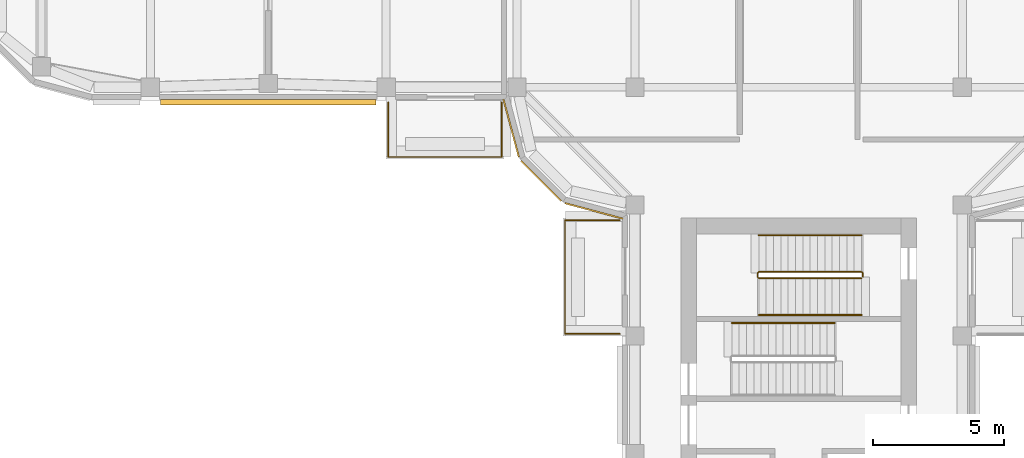
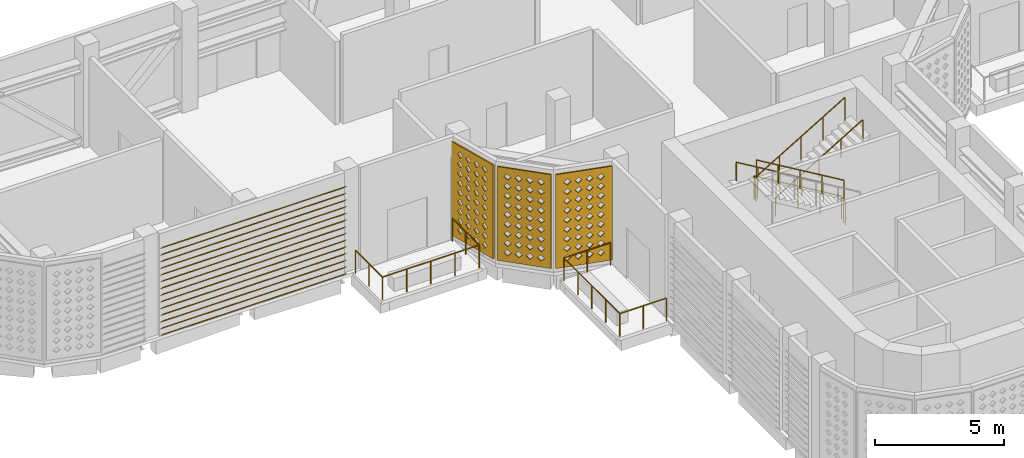
# One storey, part 12 of 20: 6 railings, 3 coverings, 1 shading device.
"""IFC4 building model written with IfcOpenShell, lengths in metres."""

from ifc_helpers import new_model, si_unit, direction, frame, origin, origin_2d, place, context, subcontext, project, spatial, polyline, circle, outline, extrude, source, transform, mapped, material, layer, layer_set, type_object, element, save


model = new_model("IFC4")

# Units and contexts
model_context = context("Model", 3, precision=1e-05, world=origin(), true_north=direction((0.0, 1.0)))
body_context = subcontext(model_context, "Body", "Model", "MODEL_VIEW")
ifc_project = project(units=[si_unit("LENGTHUNIT", "METRE"), si_unit("AREAUNIT", "SQUARE_METRE"), si_unit("VOLUMEUNIT", "CUBIC_METRE"), si_unit("PLANEANGLEUNIT", "RADIAN"), si_unit("MASSUNIT", "GRAM", prefix="KILO")], contexts=[model_context])

# Site, building, storey
site_placement = place(None, origin())
site = spatial("IfcSite", under=ifc_project, at=site_placement, CompositionType="ELEMENT")
building_placement = place(site_placement, origin())
building = spatial("IfcBuilding", under=site, at=building_placement, Name="Zarbagh Exchange Tower", CompositionType="ELEMENT")
storey_placement = place(building_placement, frame((0.0, 0.0, 244.800048828125)))
storey = spatial("IfcBuildingStorey", under=building, at=storey_placement, Name="L60", CompositionType="ELEMENT", Elevation=244.800048828125)

# Railings
ifc_material_1 = material(Name="Stainless steel", Category="steel")
railing_type_1 = type_object("IfcRailingType", Name="Stair guard 1100 mm", PredefinedType="GUARDRAIL", material=ifc_material_1)
railing_1_placement = place(storey_placement, frame((2.449951171875, -13.5, 0.0)))
element("IfcRailing", 1, at=railing_1_placement, inside=storey, type_object=railing_type_1, Name="ST4 stair guard 1", PredefinedType="GUARDRAIL", context=body_context, shape_type="SweptSolid", body=[
    extrude(circle(Radius=0.02392578125, at=origin_2d()), frame((0.0, 0.0, 1.076171875), z_axis=(0.0, 1.0, 0.0), x_axis=(-1.0, 0.0, 0.0)), (0.0, 0.0, 1.0), 0.14990234375),
    extrude(circle(Radius=0.02392578125, at=origin_2d()), frame((0.0, 0.14990234375, 1.076171875), z_axis=(-0.27662974545, 0.27662974545, 0.920299933644), x_axis=(-0.707106781187, -0.707106781187, 0.0)), (0.0, 0.0, 1.0), 0.180908203125),
    extrude(circle(Radius=0.02392578125, at=origin_2d()), frame((-0.050048828125, 0.199951171875, 1.24267578125), z_axis=(-0.859272722373, 0.0, 0.511517730471), x_axis=(0.0, -1.0, 0.0)), (0.0, 0.0, 1.0), 4.56201171875),
    extrude(circle(Radius=0.02392578125, at=origin_2d()), frame((-3.969970703125, 0.199951171875, 3.576171875), z_axis=(-0.707106781187, -0.707106781187, 0.0), x_axis=(0.707106781187, -0.707106781187, 0.0)), (0.0, 0.0, 1.0), 0.07080078125),
    extrude(circle(Radius=0.02392578125, at=origin_2d()), frame((-4.02001953125, 0.14990234375, 3.576171875), z_axis=(0.0, -1.0, 0.0), x_axis=(1.0, 0.0, 0.0)), (0.0, 0.0, 1.0), 0.14990234375),
    extrude(circle(Radius=0.02392578125, at=origin_2d()), frame((-4.02001953125, 0.0, 3.576171875), z_axis=(0.27662974545, -0.27662974545, 0.920299933644), x_axis=(0.707106781187, 0.707106781187, 0.0)), (0.0, 0.0, 1.0), 0.180908203125),
    extrude(circle(Radius=0.02392578125, at=origin_2d()), frame((-3.969970703125, -0.050048828125, 3.74267578125), z_axis=(0.859272722373, 0.0, 0.511517730471), x_axis=(0.0, 1.0, 0.0)), (0.0, 0.0, 1.0), 4.56201171875),
    extrude(circle(Radius=0.02099609375, at=origin_2d()), origin(), (0.0, 0.0, 1.0), 1.052001953125),
    extrude(circle(Radius=0.02099609375, at=origin_2d()), frame((0.0, 0.14990234375, 0.0)), (0.0, 0.0, 1.0), 1.052001953125),
    extrude(circle(Radius=0.02099609375, at=origin_2d()), frame((-0.050048828125, 0.199951171875, 0.16650390625)), (0.0, 0.0, 1.0), 1.052001953125),
    extrude(circle(Radius=0.02099609375, at=origin_2d()), frame((-1.030029296875, 0.199951171875, 0.75)), (0.0, 0.0, 1.0), 1.052001953125),
    extrude(circle(Radius=0.02099609375, at=origin_2d()), frame((-2.010009765625, 0.199951171875, 1.333251953125)), (0.0, 0.0, 1.0), 1.052001953125),
    extrude(circle(Radius=0.02099609375, at=origin_2d()), frame((-2.989990234375, 0.199951171875, 1.91650390625)), (0.0, 0.0, 1.0), 1.052001953125),
    extrude(circle(Radius=0.02099609375, at=origin_2d()), frame((-3.969970703125, 0.199951171875, 2.5)), (0.0, 0.0, 1.0), 1.052001953125),
    extrude(circle(Radius=0.02099609375, at=origin_2d()), frame((-4.02001953125, 0.14990234375, 2.5)), (0.0, 0.0, 1.0), 1.052001953125),
    extrude(circle(Radius=0.02099609375, at=origin_2d()), frame((-4.02001953125, 0.0, 2.5)), (0.0, 0.0, 1.0), 1.052001953125),
    extrude(circle(Radius=0.02099609375, at=origin_2d()), frame((-3.969970703125, -0.050048828125, 2.66650390625)), (0.0, 0.0, 1.0), 1.052001953125),
    extrude(circle(Radius=0.02099609375, at=origin_2d()), frame((-2.989990234375, -0.050048828125, 3.25)), (0.0, 0.0, 1.0), 1.052001953125),
    extrude(circle(Radius=0.02099609375, at=origin_2d()), frame((-2.010009765625, -0.050048828125, 3.833251953125)), (0.0, 0.0, 1.0), 1.052001953125),
    extrude(circle(Radius=0.02099609375, at=origin_2d()), frame((-1.030029296875, -0.050048828125, 4.41650390625)), (0.0, 0.0, 1.0), 1.052001953125),
    extrude(circle(Radius=0.02099609375, at=origin_2d()), frame((-0.050048828125, -0.050048828125, 5.0)), (0.0, 0.0, 1.0), 1.052001953125),
])
railing_type_2 = type_object("IfcRailingType", Name="Stair handrail 900 mm", PredefinedType="HANDRAIL", material=ifc_material_1)
railing_2_placement = place(storey_placement, frame((1.3701171875, -15.25, 2.66650390625)))
element("IfcRailing", 2, at=railing_2_placement, inside=storey, type_object=railing_type_2, Name="ST3 stair handrail 2", PredefinedType="HANDRAIL", context=body_context, shape_type="SweptSolid", body=[
    extrude(circle(Radius=0.02392578125, at=origin_2d()), frame((0.0, 0.0, 0.8759765625), z_axis=(-0.859286724212, 0.0, 0.511494208758), x_axis=(0.0, -1.0, 0.0)), (0.0, 0.0, 1.0), 4.56201171875),
    extrude(circle(Radius=0.02099609375, at=origin_2d()), origin(), (0.0, 0.0, 1.0), 0.851806640625),
    extrude(circle(Radius=0.02099609375, at=origin_2d()), frame((-0.97998046875, 0.0, 0.58349609375)), (0.0, 0.0, 1.0), 0.851806640625),
    extrude(circle(Radius=0.02099609375, at=origin_2d()), frame((-1.9599609375, 0.0, 1.166748046875)), (0.0, 0.0, 1.0), 0.851806640625),
    extrude(circle(Radius=0.02099609375, at=origin_2d()), frame((-2.940185546875, 0.0, 1.75)), (0.0, 0.0, 1.0), 0.851806640625),
    extrude(circle(Radius=0.02099609375, at=origin_2d()), frame((-3.920166015625, 0.0, 2.33349609375)), (0.0, 0.0, 1.0), 0.851806640625),
])
railing_3_placement = place(storey_placement, frame((2.39990234375, -11.89990234375, 0.16650390625)))
element("IfcRailing", 3, at=railing_3_placement, inside=storey, type_object=railing_type_2, Name="ST4 stair handrail 1", PredefinedType="HANDRAIL", context=body_context, shape_type="SweptSolid", body=[
    extrude(circle(Radius=0.02392578125, at=origin_2d()), frame((0.0, 0.0, 0.8759765625), z_axis=(-0.859272722373, 0.0, 0.511517730471), x_axis=(0.0, -1.0, 0.0)), (0.0, 0.0, 1.0), 4.56201171875),
    extrude(circle(Radius=0.02099609375, at=origin_2d()), origin(), (0.0, 0.0, 1.0), 0.851806640625),
    extrude(circle(Radius=0.02099609375, at=origin_2d()), frame((-0.97998046875, 0.0, 0.58349609375)), (0.0, 0.0, 1.0), 0.851806640625),
    extrude(circle(Radius=0.02099609375, at=origin_2d()), frame((-1.9599609375, 0.0, 1.166748046875)), (0.0, 0.0, 1.0), 0.851806640625),
    extrude(circle(Radius=0.02099609375, at=origin_2d()), frame((-2.93994140625, 0.0, 1.75)), (0.0, 0.0, 1.0), 0.851806640625),
    extrude(circle(Radius=0.02099609375, at=origin_2d()), frame((-3.919921875, 0.0, 2.33349609375)), (0.0, 0.0, 1.0), 0.851806640625),
])
railing_4_placement = place(storey_placement, frame((-1.52001953125, -14.949951171875, 2.66650390625)))
element("IfcRailing", 4, at=railing_4_placement, inside=storey, type_object=railing_type_2, Name="ST4 stair handrail 2", PredefinedType="HANDRAIL", context=body_context, shape_type="SweptSolid", body=[
    extrude(circle(Radius=0.02392578125, at=origin_2d()), frame((0.0, 0.0, 0.8759765625), z_axis=(0.859272722373, 0.0, 0.511517730471), x_axis=(0.0, 1.0, 0.0)), (0.0, 0.0, 1.0), 4.56201171875),
    extrude(circle(Radius=0.02099609375, at=origin_2d()), origin(), (0.0, 0.0, 1.0), 0.851806640625),
    extrude(circle(Radius=0.02099609375, at=origin_2d()), frame((0.97998046875, 0.0, 0.58349609375)), (0.0, 0.0, 1.0), 0.851806640625),
    extrude(circle(Radius=0.02099609375, at=origin_2d()), frame((1.9599609375, 0.0, 1.166748046875)), (0.0, 0.0, 1.0), 0.851806640625),
    extrude(circle(Radius=0.02099609375, at=origin_2d()), frame((2.93994140625, 0.0, 1.75)), (0.0, 0.0, 1.0), 0.851806640625),
    extrude(circle(Radius=0.02099609375, at=origin_2d()), frame((3.919921875, 0.0, 2.33349609375)), (0.0, 0.0, 1.0), 0.851806640625),
])
ifc_material_2 = material(Name="Stainless steel and laminated glass", Category="steel")
railing_type_3 = type_object("IfcRailingType", Name="Terrace guard, glass balustrade 1.1 m", PredefinedType="GUARDRAIL", material=ifc_material_2)
railing_5_placement = place(storey_placement, frame((-6.830078125, -15.669921875, 0.0)))
element("IfcRailing", 5, at=railing_5_placement, inside=storey, type_object=railing_type_3, Name="TG01 terrace guard", PredefinedType="GUARDRAIL", context=body_context, shape_type="SweptSolid", body=[
    extrude(circle(Radius=0.02490234375, at=origin_2d()), frame((0.0, 0.0, 1.0751953125), z_axis=(-1.0, 0.0, 0.0), x_axis=(0.0, -1.0, 0.0)), (0.0, 0.0, 1.0), 2.08984375),
    extrude(circle(Radius=0.02490234375, at=origin_2d()), frame((-2.08984375, 0.0, 1.0751953125), z_axis=(0.0, 1.0, 0.0), x_axis=(-1.0, 0.0, 0.0)), (0.0, 0.0, 1.0), 4.33984375),
    extrude(circle(Radius=0.02490234375, at=origin_2d()), frame((-2.08984375, 4.33984375, 1.0751953125), z_axis=(1.0, 0.0, 0.0), x_axis=(0.0, 1.0, 0.0)), (0.0, 0.0, 1.0), 2.08984375),
    extrude(circle(Radius=0.02490234375, at=origin_2d()), origin(), (0.0, 0.0, 1.0), 1.050048828125),
    extrude(circle(Radius=0.02490234375, at=origin_2d()), frame((-1.044921875, 0.0, 0.0)), (0.0, 0.0, 1.0), 1.050048828125),
    extrude(circle(Radius=0.02490234375, at=origin_2d()), frame((-2.08984375, 0.0, 0.0)), (0.0, 0.0, 1.0), 1.050048828125),
    extrude(circle(Radius=0.02490234375, at=origin_2d()), frame((-2.08984375, 1.0849609375, 0.0)), (0.0, 0.0, 1.0), 1.050048828125),
    extrude(circle(Radius=0.02490234375, at=origin_2d()), frame((-2.08984375, 2.169921875, 0.0)), (0.0, 0.0, 1.0), 1.050048828125),
    extrude(circle(Radius=0.02490234375, at=origin_2d()), frame((-2.08984375, 3.2548828125, 0.0)), (0.0, 0.0, 1.0), 1.050048828125),
    extrude(circle(Radius=0.02490234375, at=origin_2d()), frame((-2.08984375, 4.33984375, 0.0)), (0.0, 0.0, 1.0), 1.050048828125),
    extrude(circle(Radius=0.02490234375, at=origin_2d()), frame((-1.044921875, 4.33984375, 0.0)), (0.0, 0.0, 1.0), 1.050048828125),
    extrude(circle(Radius=0.02490234375, at=origin_2d()), frame((0.0, 4.33984375, 0.0)), (0.0, 0.0, 1.0), 1.050048828125),
])
railing_6_placement = place(storey_placement, frame((-11.330078125, -6.830078125, 0.0)))
element("IfcRailing", 6, at=railing_6_placement, inside=storey, type_object=railing_type_3, Name="TG01 terrace guard", PredefinedType="GUARDRAIL", context=body_context, shape_type="SweptSolid", body=[
    extrude(circle(Radius=0.02490234375, at=origin_2d()), frame((0.0, 0.0, 1.0751953125), z_axis=(0.0, -1.0, 0.0), x_axis=(1.0, 0.0, 0.0)), (0.0, 0.0, 1.0), 2.08984375),
    extrude(circle(Radius=0.02490234375, at=origin_2d()), frame((0.0, -2.08984375, 1.0751953125), z_axis=(-1.0, 0.0, 0.0), x_axis=(0.0, -1.0, 0.0)), (0.0, 0.0, 1.0), 4.33984375),
    extrude(circle(Radius=0.02490234375, at=origin_2d()), frame((-4.33984375, -2.08984375, 1.0751953125), z_axis=(0.0, 1.0, 0.0), x_axis=(-1.0, 0.0, 0.0)), (0.0, 0.0, 1.0), 2.08984375),
    extrude(circle(Radius=0.02490234375, at=origin_2d()), origin(), (0.0, 0.0, 1.0), 1.050048828125),
    extrude(circle(Radius=0.02490234375, at=origin_2d()), frame((0.0, -1.044921875, 0.0)), (0.0, 0.0, 1.0), 1.050048828125),
    extrude(circle(Radius=0.02490234375, at=origin_2d()), frame((0.0, -2.08984375, 0.0)), (0.0, 0.0, 1.0), 1.050048828125),
    extrude(circle(Radius=0.02490234375, at=origin_2d()), frame((-1.0849609375, -2.08984375, 0.0)), (0.0, 0.0, 1.0), 1.050048828125),
    extrude(circle(Radius=0.02490234375, at=origin_2d()), frame((-2.169921875, -2.08984375, 0.0)), (0.0, 0.0, 1.0), 1.050048828125),
    extrude(circle(Radius=0.02490234375, at=origin_2d()), frame((-3.2548828125, -2.08984375, 0.0)), (0.0, 0.0, 1.0), 1.050048828125),
    extrude(circle(Radius=0.02490234375, at=origin_2d()), frame((-4.33984375, -2.08984375, 0.0)), (0.0, 0.0, 1.0), 1.050048828125),
    extrude(circle(Radius=0.02490234375, at=origin_2d()), frame((-4.33984375, -1.044921875, 0.0)), (0.0, 0.0, 1.0), 1.050048828125),
    extrude(circle(Radius=0.02490234375, at=origin_2d()), frame((-4.33984375, 0.0, 0.0)), (0.0, 0.0, 1.0), 1.050048828125),
])

# Coverings
ifc_material_3 = material(Name="Glass-fibre reinforced concrete GFRC C50/60", Category="concrete")
ifc_layer = layer(ifc_material_3, 0.06005859375)
ifc_layer_set = layer_set([ifc_layer], Name="SCREEN jali panel, GFRC")
covering_type = type_object("IfcCoveringType", Name="SCREEN jali panel, GFRC", PredefinedType="CLADDING", material=ifc_layer_set)
shared_shape_1 = source(origin(), body_context, "Body", "SweptSolid", [
    extrude(outline(polyline([(0.0, 0.0), (2.1650390625, 0.0), (2.1650390625, 4.449951171875), (0.0, 4.449951171875), (0.0, 0.0)]), holes=[polyline([(0.257568359375, 0.425048828125), (0.407470703125, 0.27490234375), (0.5576171875, 0.425048828125), (0.407470703125, 0.574951171875), (0.257568359375, 0.425048828125)]), polyline([(0.257568359375, 0.875), (0.407470703125, 0.72509765625), (0.5576171875, 0.875), (0.407470703125, 1.02490234375), (0.257568359375, 0.875)]), polyline([(0.257568359375, 1.324951171875), (0.407470703125, 1.175048828125), (0.5576171875, 1.324951171875), (0.407470703125, 1.47509765625), (0.257568359375, 1.324951171875)]), polyline([(0.257568359375, 1.77490234375), (0.407470703125, 1.625), (0.5576171875, 1.77490234375), (0.407470703125, 1.925048828125), (0.257568359375, 1.77490234375)]), polyline([(0.257568359375, 2.22509765625), (0.407470703125, 2.074951171875), (0.5576171875, 2.22509765625), (0.407470703125, 2.375), (0.257568359375, 2.22509765625)]), polyline([(0.257568359375, 2.675048828125), (0.407470703125, 2.52490234375), (0.5576171875, 2.675048828125), (0.407470703125, 2.824951171875), (0.257568359375, 2.675048828125)]), polyline([(0.257568359375, 3.125), (0.407470703125, 2.97509765625), (0.5576171875, 3.125), (0.407470703125, 3.27490234375), (0.257568359375, 3.125)]), polyline([(0.257568359375, 3.574951171875), (0.407470703125, 3.425048828125), (0.5576171875, 3.574951171875), (0.407470703125, 3.72509765625), (0.257568359375, 3.574951171875)]), polyline([(0.257568359375, 4.02490234375), (0.407470703125, 3.875), (0.5576171875, 4.02490234375), (0.407470703125, 4.175048828125), (0.257568359375, 4.02490234375)]), polyline([(0.70751953125, 0.425048828125), (0.857421875, 0.27490234375), (1.007568359375, 0.425048828125), (0.857421875, 0.574951171875), (0.70751953125, 0.425048828125)]), polyline([(0.70751953125, 0.875), (0.857421875, 0.72509765625), (1.007568359375, 0.875), (0.857421875, 1.02490234375), (0.70751953125, 0.875)]), polyline([(0.70751953125, 1.324951171875), (0.857421875, 1.175048828125), (1.007568359375, 1.324951171875), (0.857421875, 1.47509765625), (0.70751953125, 1.324951171875)]), polyline([(0.70751953125, 1.77490234375), (0.857421875, 1.625), (1.007568359375, 1.77490234375), (0.857421875, 1.925048828125), (0.70751953125, 1.77490234375)]), polyline([(0.70751953125, 2.22509765625), (0.857421875, 2.074951171875), (1.007568359375, 2.22509765625), (0.857421875, 2.375), (0.70751953125, 2.22509765625)]), polyline([(0.70751953125, 2.675048828125), (0.857421875, 2.52490234375), (1.007568359375, 2.675048828125), (0.857421875, 2.824951171875), (0.70751953125, 2.675048828125)]), polyline([(0.70751953125, 3.125), (0.857421875, 2.97509765625), (1.007568359375, 3.125), (0.857421875, 3.27490234375), (0.70751953125, 3.125)]), polyline([(0.70751953125, 3.574951171875), (0.857421875, 3.425048828125), (1.007568359375, 3.574951171875), (0.857421875, 3.72509765625), (0.70751953125, 3.574951171875)]), polyline([(0.70751953125, 4.02490234375), (0.857421875, 3.875), (1.007568359375, 4.02490234375), (0.857421875, 4.175048828125), (0.70751953125, 4.02490234375)]), polyline([(1.157470703125, 0.425048828125), (1.3076171875, 0.27490234375), (1.45751953125, 0.425048828125), (1.3076171875, 0.574951171875), (1.157470703125, 0.425048828125)]), polyline([(1.157470703125, 0.875), (1.3076171875, 0.72509765625), (1.45751953125, 0.875), (1.3076171875, 1.02490234375), (1.157470703125, 0.875)]), polyline([(1.157470703125, 1.324951171875), (1.3076171875, 1.175048828125), (1.45751953125, 1.324951171875), (1.3076171875, 1.47509765625), (1.157470703125, 1.324951171875)]), polyline([(1.157470703125, 1.77490234375), (1.3076171875, 1.625), (1.45751953125, 1.77490234375), (1.3076171875, 1.925048828125), (1.157470703125, 1.77490234375)]), polyline([(1.157470703125, 2.22509765625), (1.3076171875, 2.074951171875), (1.45751953125, 2.22509765625), (1.3076171875, 2.375), (1.157470703125, 2.22509765625)]), polyline([(1.157470703125, 2.675048828125), (1.3076171875, 2.52490234375), (1.45751953125, 2.675048828125), (1.3076171875, 2.824951171875), (1.157470703125, 2.675048828125)]), polyline([(1.157470703125, 3.125), (1.3076171875, 2.97509765625), (1.45751953125, 3.125), (1.3076171875, 3.27490234375), (1.157470703125, 3.125)]), polyline([(1.157470703125, 3.574951171875), (1.3076171875, 3.425048828125), (1.45751953125, 3.574951171875), (1.3076171875, 3.72509765625), (1.157470703125, 3.574951171875)]), polyline([(1.157470703125, 4.02490234375), (1.3076171875, 3.875), (1.45751953125, 4.02490234375), (1.3076171875, 4.175048828125), (1.157470703125, 4.02490234375)]), polyline([(1.607421875, 0.425048828125), (1.757568359375, 0.27490234375), (1.907470703125, 0.425048828125), (1.757568359375, 0.574951171875), (1.607421875, 0.425048828125)]), polyline([(1.607421875, 0.875), (1.757568359375, 0.72509765625), (1.907470703125, 0.875), (1.757568359375, 1.02490234375), (1.607421875, 0.875)]), polyline([(1.607421875, 1.324951171875), (1.757568359375, 1.175048828125), (1.907470703125, 1.324951171875), (1.757568359375, 1.47509765625), (1.607421875, 1.324951171875)]), polyline([(1.607421875, 1.77490234375), (1.757568359375, 1.625), (1.907470703125, 1.77490234375), (1.757568359375, 1.925048828125), (1.607421875, 1.77490234375)]), polyline([(1.607421875, 2.22509765625), (1.757568359375, 2.074951171875), (1.907470703125, 2.22509765625), (1.757568359375, 2.375), (1.607421875, 2.22509765625)]), polyline([(1.607421875, 2.675048828125), (1.757568359375, 2.52490234375), (1.907470703125, 2.675048828125), (1.757568359375, 2.824951171875), (1.607421875, 2.675048828125)]), polyline([(1.607421875, 3.125), (1.757568359375, 2.97509765625), (1.907470703125, 3.125), (1.757568359375, 3.27490234375), (1.607421875, 3.125)]), polyline([(1.607421875, 3.574951171875), (1.757568359375, 3.425048828125), (1.907470703125, 3.574951171875), (1.757568359375, 3.72509765625), (1.607421875, 3.574951171875)]), polyline([(1.607421875, 4.02490234375), (1.757568359375, 3.875), (1.907470703125, 4.02490234375), (1.757568359375, 4.175048828125), (1.607421875, 4.02490234375)])]), origin(), (0.0, 0.0, 1.0), 0.06005859375),
])
placement = place(storey_placement, origin())
element("IfcCovering", 7, at=placement, inside=storey, type_object=covering_type, Name="JS35 jali screen", PredefinedType="CLADDING", context=body_context, shape_type="MappedRepresentation", body=[
    mapped(shared_shape_1, transform((-10.574951171875, -9.0439453125, 0.199951171875), x_axis=(0.707106781187, -0.707106781187, 0.0), y_axis=(0.0, 0.0, 1.0), z_axis=(-0.707106781187, -0.707106781187, 0.0))),
])
shared_shape_2 = source(origin(), body_context, "Body", "SweptSolid", [
    extrude(outline(polyline([(0.0, 0.0), (2.289306640625, 0.0), (2.289306640625, 4.449951171875), (0.0, 4.449951171875), (0.0, 0.0)]), holes=[polyline([(0.319580078125, 0.425048828125), (0.4697265625, 0.27490234375), (0.61962890625, 0.425048828125), (0.4697265625, 0.574951171875), (0.319580078125, 0.425048828125)]), polyline([(0.319580078125, 0.875), (0.4697265625, 0.72509765625), (0.61962890625, 0.875), (0.4697265625, 1.02490234375), (0.319580078125, 0.875)]), polyline([(0.319580078125, 1.324951171875), (0.4697265625, 1.175048828125), (0.61962890625, 1.324951171875), (0.4697265625, 1.47509765625), (0.319580078125, 1.324951171875)]), polyline([(0.319580078125, 1.77490234375), (0.4697265625, 1.625), (0.61962890625, 1.77490234375), (0.4697265625, 1.925048828125), (0.319580078125, 1.77490234375)]), polyline([(0.319580078125, 2.22509765625), (0.4697265625, 2.074951171875), (0.61962890625, 2.22509765625), (0.4697265625, 2.375), (0.319580078125, 2.22509765625)]), polyline([(0.319580078125, 2.675048828125), (0.4697265625, 2.52490234375), (0.61962890625, 2.675048828125), (0.4697265625, 2.824951171875), (0.319580078125, 2.675048828125)]), polyline([(0.319580078125, 3.125), (0.4697265625, 2.97509765625), (0.61962890625, 3.125), (0.4697265625, 3.27490234375), (0.319580078125, 3.125)]), polyline([(0.319580078125, 3.574951171875), (0.4697265625, 3.425048828125), (0.61962890625, 3.574951171875), (0.4697265625, 3.72509765625), (0.319580078125, 3.574951171875)]), polyline([(0.319580078125, 4.02490234375), (0.4697265625, 3.875), (0.61962890625, 4.02490234375), (0.4697265625, 4.175048828125), (0.319580078125, 4.02490234375)]), polyline([(0.76953125, 0.425048828125), (0.919677734375, 0.27490234375), (1.069580078125, 0.425048828125), (0.919677734375, 0.574951171875), (0.76953125, 0.425048828125)]), polyline([(0.76953125, 0.875), (0.919677734375, 0.72509765625), (1.069580078125, 0.875), (0.919677734375, 1.02490234375), (0.76953125, 0.875)]), polyline([(0.76953125, 1.324951171875), (0.919677734375, 1.175048828125), (1.069580078125, 1.324951171875), (0.919677734375, 1.47509765625), (0.76953125, 1.324951171875)]), polyline([(0.76953125, 1.77490234375), (0.919677734375, 1.625), (1.069580078125, 1.77490234375), (0.919677734375, 1.925048828125), (0.76953125, 1.77490234375)]), polyline([(0.76953125, 2.22509765625), (0.919677734375, 2.074951171875), (1.069580078125, 2.22509765625), (0.919677734375, 2.375), (0.76953125, 2.22509765625)]), polyline([(0.76953125, 2.675048828125), (0.919677734375, 2.52490234375), (1.069580078125, 2.675048828125), (0.919677734375, 2.824951171875), (0.76953125, 2.675048828125)]), polyline([(0.76953125, 3.125), (0.919677734375, 2.97509765625), (1.069580078125, 3.125), (0.919677734375, 3.27490234375), (0.76953125, 3.125)]), polyline([(0.76953125, 3.574951171875), (0.919677734375, 3.425048828125), (1.069580078125, 3.574951171875), (0.919677734375, 3.72509765625), (0.76953125, 3.574951171875)]), polyline([(0.76953125, 4.02490234375), (0.919677734375, 3.875), (1.069580078125, 4.02490234375), (0.919677734375, 4.175048828125), (0.76953125, 4.02490234375)]), polyline([(1.2197265625, 0.425048828125), (1.36962890625, 0.27490234375), (1.51953125, 0.425048828125), (1.36962890625, 0.574951171875), (1.2197265625, 0.425048828125)]), polyline([(1.2197265625, 0.875), (1.36962890625, 0.72509765625), (1.51953125, 0.875), (1.36962890625, 1.02490234375), (1.2197265625, 0.875)]), polyline([(1.2197265625, 1.324951171875), (1.36962890625, 1.175048828125), (1.51953125, 1.324951171875), (1.36962890625, 1.47509765625), (1.2197265625, 1.324951171875)]), polyline([(1.2197265625, 1.77490234375), (1.36962890625, 1.625), (1.51953125, 1.77490234375), (1.36962890625, 1.925048828125), (1.2197265625, 1.77490234375)]), polyline([(1.2197265625, 2.22509765625), (1.36962890625, 2.074951171875), (1.51953125, 2.22509765625), (1.36962890625, 2.375), (1.2197265625, 2.22509765625)]), polyline([(1.2197265625, 2.675048828125), (1.36962890625, 2.52490234375), (1.51953125, 2.675048828125), (1.36962890625, 2.824951171875), (1.2197265625, 2.675048828125)]), polyline([(1.2197265625, 3.125), (1.36962890625, 2.97509765625), (1.51953125, 3.125), (1.36962890625, 3.27490234375), (1.2197265625, 3.125)]), polyline([(1.2197265625, 3.574951171875), (1.36962890625, 3.425048828125), (1.51953125, 3.574951171875), (1.36962890625, 3.72509765625), (1.2197265625, 3.574951171875)]), polyline([(1.2197265625, 4.02490234375), (1.36962890625, 3.875), (1.51953125, 4.02490234375), (1.36962890625, 4.175048828125), (1.2197265625, 4.02490234375)]), polyline([(1.669677734375, 0.425048828125), (1.819580078125, 0.27490234375), (1.9697265625, 0.425048828125), (1.819580078125, 0.574951171875), (1.669677734375, 0.425048828125)]), polyline([(1.669677734375, 0.875), (1.819580078125, 0.72509765625), (1.9697265625, 0.875), (1.819580078125, 1.02490234375), (1.669677734375, 0.875)]), polyline([(1.669677734375, 1.324951171875), (1.819580078125, 1.175048828125), (1.9697265625, 1.324951171875), (1.819580078125, 1.47509765625), (1.669677734375, 1.324951171875)]), polyline([(1.669677734375, 1.77490234375), (1.819580078125, 1.625), (1.9697265625, 1.77490234375), (1.819580078125, 1.925048828125), (1.669677734375, 1.77490234375)]), polyline([(1.669677734375, 2.22509765625), (1.819580078125, 2.074951171875), (1.9697265625, 2.22509765625), (1.819580078125, 2.375), (1.669677734375, 2.22509765625)]), polyline([(1.669677734375, 2.675048828125), (1.819580078125, 2.52490234375), (1.9697265625, 2.675048828125), (1.819580078125, 2.824951171875), (1.669677734375, 2.675048828125)]), polyline([(1.669677734375, 3.125), (1.819580078125, 2.97509765625), (1.9697265625, 3.125), (1.819580078125, 3.27490234375), (1.669677734375, 3.125)]), polyline([(1.669677734375, 3.574951171875), (1.819580078125, 3.425048828125), (1.9697265625, 3.574951171875), (1.819580078125, 3.72509765625), (1.669677734375, 3.574951171875)]), polyline([(1.669677734375, 4.02490234375), (1.819580078125, 3.875), (1.9697265625, 4.02490234375), (1.819580078125, 4.175048828125), (1.669677734375, 4.02490234375)])]), origin(), (0.0, 0.0, 1.0), 0.06005859375),
])
element("IfcCovering", 8, at=placement, inside=storey, type_object=covering_type, Name="JS34 jali screen", PredefinedType="CLADDING", context=body_context, shape_type="MappedRepresentation", body=[
    mapped(shared_shape_2, transform((-11.241455078125, -6.7041015625, 0.199951171875), x_axis=(0.258825057666, -0.965924215207, 0.0), y_axis=(0.0, 0.0, 1.0), z_axis=(-0.965924215207, -0.258825057666, 0.0))),
])
element("IfcCovering", 9, at=placement, inside=storey, type_object=covering_type, Name="JS36 jali screen", PredefinedType="CLADDING", context=body_context, shape_type="MappedRepresentation", body=[
    mapped(shared_shape_2, transform((-8.91552734375, -10.64892578125, 0.199951171875), x_axis=(0.965924215207, -0.258825057666, 0.0), y_axis=(0.0, 0.0, 1.0), z_axis=(-0.258825057666, -0.965924215207, 0.0))),
])

# Shading device
ifc_material_4 = material(Name="Anodised aluminium", Category="aluminium")
shading_device_type = type_object("IfcShadingDeviceType", Name="LOUVRE plant louvre, fixed blades", PredefinedType="USERDEFINED", material=ifc_material_4)
shared_shape_3 = source(origin(), body_context, "Body", "SweptSolid", [
    extrude(outline(polyline([(0.0, 0.199951171875), (0.199951171875, 0.0), (0.199951171875, -0.02001953125), (0.0, 0.179931640625), (0.0, 0.199951171875)])), origin(), (0.0, 0.0, 1.0), 8.219970703125),
])
element("IfcShadingDevice", 10, at=placement, inside=storey, type_object=shading_device_type, Name="LV15 plant louvre", ObjectType="LOUVRE", PredefinedType="USERDEFINED", context=body_context, shape_type="MappedRepresentation", body=[
    mapped(shared_shape_3, transform((-24.360107421875, -6.72998046875, 0.199951171875), x_axis=(0.0, -1.0, 0.0), y_axis=(0.0, 0.0, -1.0), z_axis=(1.0, 0.0, 0.0))),
    mapped(shared_shape_3, transform((-24.360107421875, -6.72998046875, 0.517822265625), x_axis=(0.0, -1.0, 0.0), y_axis=(0.0, 0.0, -1.0), z_axis=(1.0, 0.0, 0.0))),
    mapped(shared_shape_3, transform((-24.360107421875, -6.72998046875, 0.835693359375), x_axis=(0.0, -1.0, 0.0), y_axis=(0.0, 0.0, -1.0), z_axis=(1.0, 0.0, 0.0))),
    mapped(shared_shape_3, transform((-24.360107421875, -6.72998046875, 1.153564453125), x_axis=(0.0, -1.0, 0.0), y_axis=(0.0, 0.0, -1.0), z_axis=(1.0, 0.0, 0.0))),
    mapped(shared_shape_3, transform((-24.360107421875, -6.72998046875, 1.471435546875), x_axis=(0.0, -1.0, 0.0), y_axis=(0.0, 0.0, -1.0), z_axis=(1.0, 0.0, 0.0))),
    mapped(shared_shape_3, transform((-24.360107421875, -6.72998046875, 1.789306640625), x_axis=(0.0, -1.0, 0.0), y_axis=(0.0, 0.0, -1.0), z_axis=(1.0, 0.0, 0.0))),
    mapped(shared_shape_3, transform((-24.360107421875, -6.72998046875, 2.107177734375), x_axis=(0.0, -1.0, 0.0), y_axis=(0.0, 0.0, -1.0), z_axis=(1.0, 0.0, 0.0))),
    mapped(shared_shape_3, transform((-24.360107421875, -6.72998046875, 2.425048828125), x_axis=(0.0, -1.0, 0.0), y_axis=(0.0, 0.0, -1.0), z_axis=(1.0, 0.0, 0.0))),
    mapped(shared_shape_3, transform((-24.360107421875, -6.72998046875, 2.742919921875), x_axis=(0.0, -1.0, 0.0), y_axis=(0.0, 0.0, -1.0), z_axis=(1.0, 0.0, 0.0))),
    mapped(shared_shape_3, transform((-24.360107421875, -6.72998046875, 3.060546875), x_axis=(0.0, -1.0, 0.0), y_axis=(0.0, 0.0, -1.0), z_axis=(1.0, 0.0, 0.0))),
    mapped(shared_shape_3, transform((-24.360107421875, -6.72998046875, 3.37841796875), x_axis=(0.0, -1.0, 0.0), y_axis=(0.0, 0.0, -1.0), z_axis=(1.0, 0.0, 0.0))),
    mapped(shared_shape_3, transform((-24.360107421875, -6.72998046875, 3.6962890625), x_axis=(0.0, -1.0, 0.0), y_axis=(0.0, 0.0, -1.0), z_axis=(1.0, 0.0, 0.0))),
    mapped(shared_shape_3, transform((-24.360107421875, -6.72998046875, 4.01416015625), x_axis=(0.0, -1.0, 0.0), y_axis=(0.0, 0.0, -1.0), z_axis=(1.0, 0.0, 0.0))),
    mapped(shared_shape_3, transform((-24.360107421875, -6.72998046875, 4.33203125), x_axis=(0.0, -1.0, 0.0), y_axis=(0.0, 0.0, -1.0), z_axis=(1.0, 0.0, 0.0))),
])

save(model, "model.ifc")
